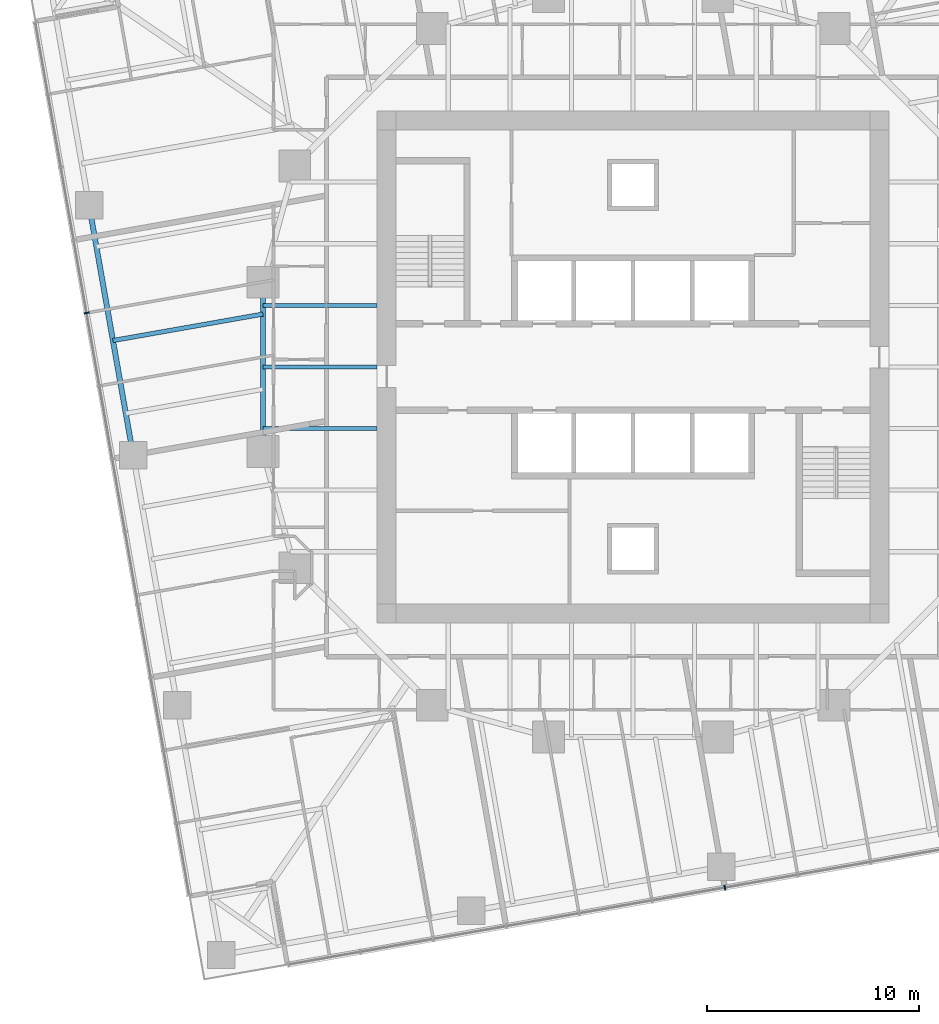
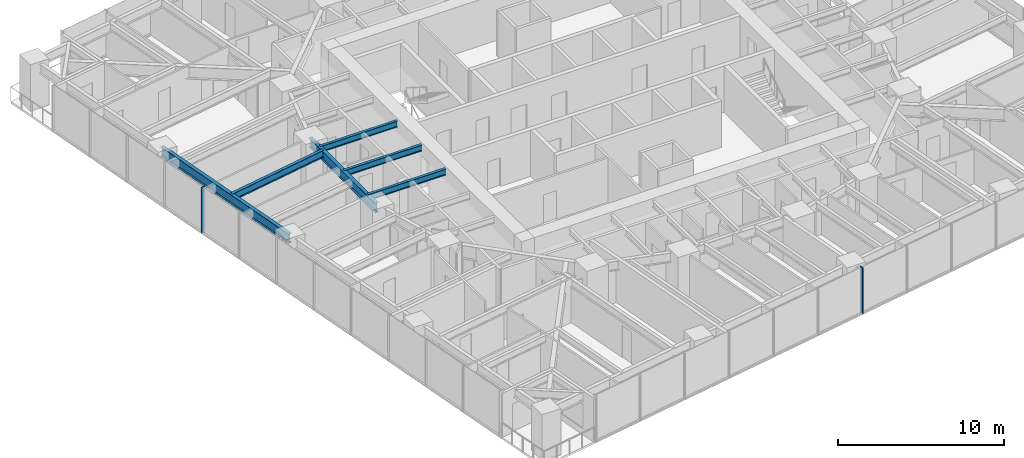
# One storey, part 3 of 14: 6 beams, 2 members, 2 elements without a shape of their own.
"""IFC4 building model written with IfcOpenShell, lengths in metres."""

from ifc_helpers import new_model, si_unit, direction, frame, origin, origin_2d, place, context, subcontext, project, spatial, rectangle, i_section, extrude, material, material_profile, profile_set, type_object, element, aggregate, save


model = new_model("IFC4")

# Units and contexts
model_context = context("Model", 3, precision=1e-05, world=origin(), true_north=direction((0.0, 1.0)))
body_context = subcontext(model_context, "Body", "Model", "MODEL_VIEW")
ifc_project = project(units=[si_unit("LENGTHUNIT", "METRE"), si_unit("AREAUNIT", "SQUARE_METRE"), si_unit("VOLUMEUNIT", "CUBIC_METRE"), si_unit("PLANEANGLEUNIT", "RADIAN"), si_unit("MASSUNIT", "GRAM", prefix="KILO")], contexts=[model_context])

# Site, building, storey
site_placement = place(None, origin())
site = spatial("IfcSite", under=ifc_project, at=site_placement, CompositionType="ELEMENT")
building_placement = place(site_placement, origin())
building = spatial("IfcBuilding", under=site, at=building_placement, Name="Torsade Residences", CompositionType="ELEMENT")
storey_placement = place(building_placement, frame((0.0, 0.0, 89.60009765625)))
storey = spatial("IfcBuildingStorey", under=building, at=storey_placement, Name="L24", CompositionType="ELEMENT", Elevation=89.60009765625)

# Curtain wall, member
ifc_material_1 = material(Name="Aluminium and glass", Category="aluminium")
curtain_wall_type = type_object("IfcCurtainWallType", Name="FRITTED GLASS CURTAIN WALL LOW ZONE", PredefinedType="NOTDEFINED", material=ifc_material_1)
curtain_wall_1_placement = place(storey_placement, origin())
curtain_wall_1 = element("IfcCurtainWall", 1, at=curtain_wall_1_placement, inside=storey, type_object=curtain_wall_type, Name="Curtain wall L24 face 1", PredefinedType="NOTDEFINED")
ifc_material_2 = material(Name="Aluminium mullion", Category="aluminium")
ifc_material_profile_1 = material_profile(ifc_material_2, rectangle(XDim=0.25, YDim=0.06494140625, at=origin_2d()), Name="CURTAIN WALL MULLION 250x65")
ifc_profile_set_1 = profile_set([ifc_material_profile_1], Name="Aluminium mullion")
member_type = type_object("IfcMemberType", Name="CURTAIN WALL MULLION 250x65", PredefinedType="MULLION", material=ifc_profile_set_1)
member_1_placement = place(storey_placement, frame((44.34130859375, 5.3798828125, 0.0), z_axis=(0.0, 0.0, 1.0), x_axis=(-0.173648192638, 0.984807750372, 0.0)))
member_1 = element("IfcMember", 2, at=member_1_placement, type_object=member_type, Name="Mullion 7", PredefinedType="MULLION", context=body_context, shape_type="SweptSolid", body=[
    extrude(rectangle(XDim=0.25, YDim=0.06494140625, at=origin_2d()), origin(), (0.0, 0.0, 1.0), 3.39990234375),
])
aggregate(curtain_wall_1, [member_1])

curtain_wall_2_placement = place(storey_placement, origin())
curtain_wall_2 = element("IfcCurtainWall", 3, at=curtain_wall_2_placement, inside=storey, type_object=curtain_wall_type, Name="Curtain wall L24 face 10", PredefinedType="NOTDEFINED")
member_2_placement = place(storey_placement, frame((14.164306640625, 32.552490234375, 0.0), z_axis=(0.0, 0.0, 1.0), x_axis=(0.984807750372, 0.173648192638, 0.0)))
member_2 = element("IfcMember", 4, at=member_2_placement, type_object=member_type, Name="Mullion 5", PredefinedType="MULLION", context=body_context, shape_type="SweptSolid", body=[
    extrude(rectangle(XDim=0.25, YDim=0.06494140625, at=origin_2d()), origin(), (0.0, 0.0, 1.0), 3.39990234375),
])
aggregate(curtain_wall_2, [member_2])

# Beams
ifc_material_3 = material(Name="Steel grade 300", Category="steel")
ifc_material_profile_2 = material_profile(ifc_material_3, i_section(OverallWidth=0.25, OverallDepth=0.699951171875, WebThickness=0.010009765625, FlangeThickness=0.02001953125, at=origin_2d()), Name="700WB130")
ifc_profile_set_2 = profile_set([ifc_material_profile_2], Name="Steel grade 300")
beam_type_1 = type_object("IfcBeamType", Name="EDGE BEAM 700WB130", PredefinedType="SPANDREL", material=ifc_profile_set_2)
beam_1_placement = place(storey_placement, frame((14.28076171875, 37.650146484375, 2.89990234375), z_axis=(0.173646056486, -0.984808127031, 0.0), x_axis=(0.984808127031, 0.173646056486, 0.0)))
element("IfcBeam", 5, at=beam_1_placement, inside=storey, type_object=beam_type_1, Name="Edge beam 14 L25", PredefinedType="SPANDREL", context=body_context, shape_type="SweptSolid", body=[
    extrude(i_section(OverallWidth=0.25, OverallDepth=0.699951171875, WebThickness=0.010009765625, FlangeThickness=0.02001953125, at=origin_2d()), origin(), (0.0, 0.0, 1.0), 12.0),
])
ifc_material_4 = material(Name="Steel grade 300", Category="steel")
ifc_material_profile_3 = material_profile(ifc_material_4, i_section(OverallWidth=0.18994140625, OverallDepth=0.4541015625, WebThickness=0.008544921875, FlangeThickness=0.0126953125, FilletRadius=0.011474609375, at=origin_2d()), Name="460UB67.1")
ifc_profile_set_3 = profile_set([ifc_material_profile_3], Name="Steel grade 300")
beam_type_2 = type_object("IfcBeamType", Name="INNER FLOOR BEAM 460UB67.1", PredefinedType="JOIST", material=ifc_profile_set_3)
for number, where, z_axis, x_axis, name in (
    (6, (27.89990234375, 32.91259765625, 3.02294921875), (-1.0, 0.0, 0.0), (0.0, -1.0, 0.0), "Inner floor beam IW03 L25"),
    (7, (27.89990234375, 30.0, 3.02294921875), (-1.0, 0.0, 0.0), (0.0, -1.0, 0.0), "Inner floor beam IW04 L25"),
    (8, (27.89990234375, 27.08740234375, 3.02294921875), (-1.0, 0.0, 0.0), (0.0, -1.0, 0.0), "Inner floor beam IW05 L25"),
):
    element("IfcBeam", number, at=place(storey_placement, frame(where, z_axis=z_axis, x_axis=x_axis)), inside=storey, type_object=beam_type_2, Name=name, PredefinedType="JOIST", context=body_context, shape_type="SweptSolid", body=[
        extrude(i_section(OverallWidth=0.18994140625, OverallDepth=0.4541015625, WebThickness=0.008544921875, FlangeThickness=0.0126953125, FilletRadius=0.011474609375, at=origin_2d()), origin(), (0.0, 0.0, 1.0), 5.39990234375),
    ])
ifc_material_5 = material(Name="Steel grade 300", Category="steel")
ifc_material_profile_4 = material_profile(ifc_material_5, i_section(OverallWidth=0.25, OverallDepth=0.699951171875, WebThickness=0.010009765625, FlangeThickness=0.02001953125, at=origin_2d()), Name="700WB130")
ifc_profile_set_4 = profile_set([ifc_material_profile_4], Name="Steel grade 300")
beam_type_3 = type_object("IfcBeamType", Name="RING GIRDER 700WB130", PredefinedType="BEAM", material=ifc_profile_set_4)
beam_2_placement = place(storey_placement, frame((22.5, 34.0, 2.89990234375), z_axis=(0.0, -1.0, 0.0), x_axis=(1.0, 0.0, 0.0)))
element("IfcBeam", 9, at=beam_2_placement, inside=storey, type_object=beam_type_3, Name="Ring girder IR09 L25", PredefinedType="BEAM", context=body_context, shape_type="SweptSolid", body=[
    extrude(i_section(OverallWidth=0.25, OverallDepth=0.699951171875, WebThickness=0.010009765625, FlangeThickness=0.02001953125, at=origin_2d()), origin(), (0.0, 0.0, 1.0), 8.0),
])
ifc_material_6 = material(Name="Steel grade 300", Category="steel")
ifc_material_profile_5 = material_profile(ifc_material_6, i_section(OverallWidth=0.208984375, OverallDepth=0.528076171875, WebThickness=0.009521484375, FlangeThickness=0.01318359375, FilletRadius=0.013916015625, at=origin_2d()), Name="530UB82.0")
ifc_profile_set_5 = profile_set([ifc_material_profile_5], Name="Steel grade 300")
beam_type_4 = type_object("IfcBeamType", Name="SECONDARY BEAM 530UB82.0", PredefinedType="JOIST", material=ifc_profile_set_5)
beam_3_placement = place(storey_placement, frame((15.40966796875, 31.248779296875, 2.98583984375), z_axis=(0.984807104535, 0.173651855324, 0.0), x_axis=(-0.173651855324, 0.984807104535, 0.0)))
element("IfcBeam", 10, at=beam_3_placement, inside=storey, type_object=beam_type_4, Name="Floor beam FW05 L25", PredefinedType="JOIST", context=body_context, shape_type="SweptSolid", body=[
    extrude(i_section(OverallWidth=0.208984375, OverallDepth=0.528076171875, WebThickness=0.009521484375, FlangeThickness=0.01318359375, FilletRadius=0.013916015625, at=origin_2d()), origin(), (0.0, 0.0, 1.0), 7.19970703125),
])

save(model, "model.ifc")
